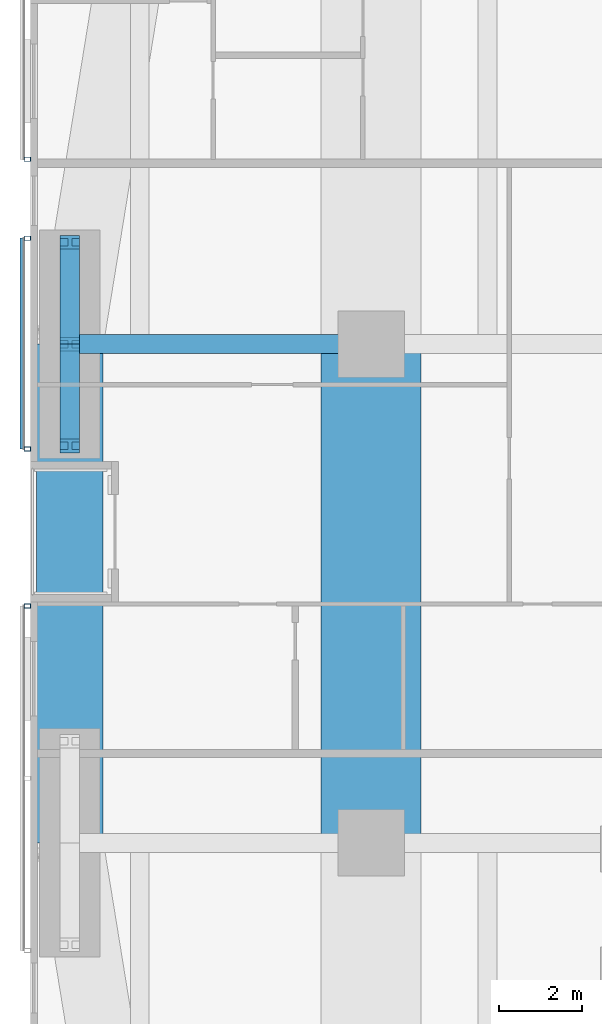
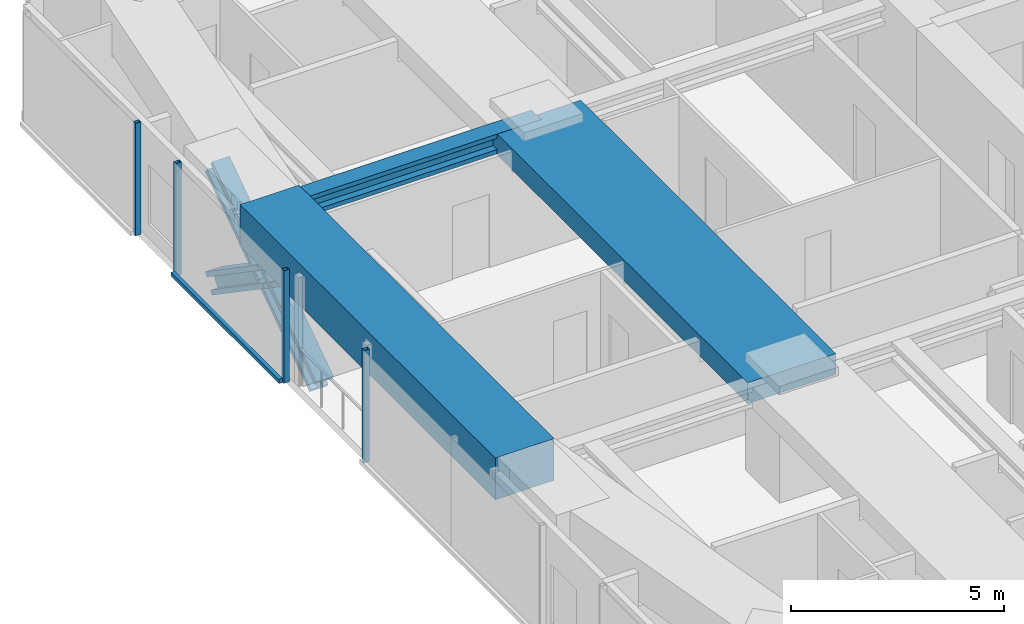
# One storey, part 7 of 24: 9 members, 3 beams, 3 elements without a shape of their own.
"""IFC4 building model written with IfcOpenShell, lengths in metres."""

from ifc_helpers import new_model, si_unit, direction, frame, origin, origin_2d, place, context, subcontext, project, spatial, rectangle, hollow_rectangle, i_section, extrude, material, material_profile, profile_set, type_object, element, aggregate, save


model = new_model("IFC4")

# Units and contexts
model_context = context("Model", 3, precision=1e-05, world=origin(), true_north=direction((0.0, 1.0)))
body_context = subcontext(model_context, "Body", "Model", "MODEL_VIEW")
ifc_project = project(units=[si_unit("LENGTHUNIT", "METRE"), si_unit("AREAUNIT", "SQUARE_METRE"), si_unit("VOLUMEUNIT", "CUBIC_METRE"), si_unit("PLANEANGLEUNIT", "RADIAN"), si_unit("MASSUNIT", "GRAM", prefix="KILO")], contexts=[model_context])

# Site, building, storey
site_placement = place(None, origin())
site = spatial("IfcSite", under=ifc_project, at=site_placement, CompositionType="ELEMENT")
building_placement = place(site_placement, origin())
building = spatial("IfcBuilding", under=site, at=building_placement, Name="Jalousie Tower", CompositionType="ELEMENT")
storey_placement = place(building_placement, frame((0.0, 0.0, 51.14990234375)))
storey = spatial("IfcBuildingStorey", under=building, at=storey_placement, Name="L13", CompositionType="ELEMENT", Elevation=51.14990234375)

# Beam
ifc_material_1 = material(Name="Steel ASTM A992 Grade 50", Category="steel")
ifc_material_profile_1 = material_profile(ifc_material_1, i_section(OverallWidth=0.45458984375, OverallDepth=0.569091796875, WebThickness=0.077880859375, FlangeThickness=0.124755859375, at=origin_2d()), Name="W14X730")
ifc_profile_set_1 = profile_set([ifc_material_profile_1], Name="Steel ASTM A992 Grade 50")
beam_type_1 = type_object("IfcBeamType", Name="LEAN COLLECTOR W14X730", PredefinedType="BEAM", material=ifc_profile_set_1)
beam_1_placement = place(storey_placement, frame((2.949951171875, 25.0, 2.82568359375), z_axis=(1.0, 0.0, 0.0), x_axis=(0.0, 1.0, 0.0)))
element("IfcBeam", 1, at=beam_1_placement, inside=storey, type_object=beam_type_1, Name="Lean collector under L14", PredefinedType="BEAM", context=body_context, shape_type="SweptSolid", body=[
    extrude(i_section(OverallWidth=0.45458984375, OverallDepth=0.569091796875, WebThickness=0.077880859375, FlangeThickness=0.124755859375, at=origin_2d()), origin(), (0.0, 0.0, 1.0), 7.25),
])

# Members
ifc_material_2 = material(Name="Steel ASTM A992 Grade 50", Category="steel")
ifc_material_profile_2 = material_profile(ifc_material_2, i_section(OverallWidth=0.472412109375, OverallDepth=0.5791015625, WebThickness=0.094970703125, FlangeThickness=0.1298828125, at=origin_2d()), Name="W14X808")
ifc_profile_set_2 = profile_set([ifc_material_profile_2], Name="Steel ASTM A992 Grade 50")
member_type_1 = type_object("IfcMemberType", Name="PERIMETER BRACE W14X808", PredefinedType="BRACE", material=ifc_profile_set_2)
for number, where, z_axis, x_axis, name in (
    (2, (2.949951171875, 22.550048828125, -0.599853515625), (0.0, 0.825500916831, 0.564400776321), (-1.0, 0.0, 0.0), "Perimeter brace 13 L13 part 1"),
    (3, (2.949951171875, 25.0, 1.0751953125), (0.0, 0.825539243753, 0.564344714713), (-1.0, 0.0, 0.0), "Perimeter brace 13 L13 part 2"),
    (4, (2.949951171875, 27.449951171875, -0.599853515625), (0.0, -0.825500916831, 0.564400776321), (1.0, 0.0, 0.0), "Perimeter brace 13 L13 part 3"),
    (5, (2.949951171875, 25.0, 1.0751953125), (0.0, -0.825539243753, 0.564344714713), (1.0, 0.0, 0.0), "Perimeter brace 13 L13 part 4"),
):
    element("IfcMember", number, at=place(storey_placement, frame(where, z_axis=z_axis, x_axis=x_axis)), inside=storey, type_object=member_type_1, Name=name, PredefinedType="BRACE", context=body_context, shape_type="SweptSolid", body=[
        extrude(i_section(OverallWidth=0.472412109375, OverallDepth=0.5791015625, WebThickness=0.094970703125, FlangeThickness=0.1298828125, at=origin_2d()), origin(), (0.0, 0.0, 1.0), 2.9677734375),
    ])

# Beams
ifc_material_3 = material(Name="Concrete f'c 40 MPa", Category="concrete")
ifc_material_profile_3 = material_profile(ifc_material_3, rectangle(XDim=1.60009765625, YDim=1.199951171875, at=origin_2d()), Name="RC 1600x1200")
ifc_profile_set_3 = profile_set([ifc_material_profile_3], Name="Concrete f'c 40 MPa")
beam_type_2 = type_object("IfcBeamType", Name="RC BEAM 1600x1200", PredefinedType="BEAM", material=ifc_profile_set_3)
beam_2_placement = place(storey_placement, frame((2.949951171875, 25.0, 2.75), z_axis=(0.0, -1.0, 0.0), x_axis=(1.0, 0.0, 0.0)))
element("IfcBeam", 6, at=beam_2_placement, inside=storey, type_object=beam_type_2, Name="Edge band beam 13-14 under L14", PredefinedType="BEAM", context=body_context, shape_type="SweptSolid", body=[
    extrude(rectangle(XDim=1.60009765625, YDim=1.199951171875, at=origin_2d()), origin(), (0.0, 0.0, 1.0), 12.0),
])
ifc_material_4 = material(Name="Concrete f'c 40 MPa", Category="concrete")
ifc_material_profile_4 = material_profile(ifc_material_4, rectangle(XDim=2.39990234375, YDim=0.60009765625, at=origin_2d()), Name="RC 2400x600")
ifc_profile_set_4 = profile_set([ifc_material_profile_4], Name="Concrete f'c 40 MPa")
beam_type_3 = type_object("IfcBeamType", Name="RC BEAM 2400x600", PredefinedType="BEAM", material=ifc_profile_set_4)
beam_3_placement = place(storey_placement, frame((10.199951171875, 13.0, 2.81005859375), z_axis=(0.0, 1.0, 0.0), x_axis=(-1.0, 0.0, 0.0)))
element("IfcBeam", 7, at=beam_3_placement, inside=storey, type_object=beam_type_3, Name="Floor band beam under L14", PredefinedType="BEAM", context=body_context, shape_type="SweptSolid", body=[
    extrude(rectangle(XDim=2.39990234375, YDim=0.60009765625, at=origin_2d()), origin(), (0.0, 0.0, 1.0), 12.0),
])

# Curtain wall, member
ifc_material_5 = material(Name="Perforated aluminium sheet", Category="aluminium")
curtain_wall_type = type_object("IfcCurtainWallType", Name="SOLAR SCREEN SS-1", PredefinedType="USERDEFINED", material=ifc_material_5)
curtain_wall_1_placement = place(storey_placement, origin())
curtain_wall_1 = element("IfcCurtainWall", 8, at=curtain_wall_1_placement, inside=storey, type_object=curtain_wall_type, Name="Solar screen L13", ObjectType="SOLAR SCREEN SS-1", PredefinedType="USERDEFINED")
ifc_material_6 = material(Name="Steel ASTM A500 Grade C", Category="steel")
ifc_material_profile_5 = material_profile(ifc_material_6, hollow_rectangle(XDim=0.1015625, YDim=0.15234375, WallThickness=0.00634765625, at=origin_2d()), Name="HSS6X4X1/4")
ifc_profile_set_5 = profile_set([ifc_material_profile_5], Name="Steel ASTM A500 Grade C")
member_type_2 = type_object("IfcMemberType", Name="SOLAR SCREEN SS-1 MULLION", PredefinedType="MULLION", material=ifc_profile_set_5)
member_1_placement = place(storey_placement, frame((1.9287109375, 29.449951171875, -0.119873046875), z_axis=(0.0, 0.0, 1.0), x_axis=(0.0, -1.0, 0.0)))
member_1 = element("IfcMember", 9, at=member_1_placement, type_object=member_type_2, Name="SS1 post 2", PredefinedType="MULLION", context=body_context, shape_type="SweptSolid", body=[
    extrude(hollow_rectangle(XDim=0.1015625, YDim=0.15234375, WallThickness=0.00634765625, at=origin_2d()), origin(), (0.0, 0.0, 1.0), 3.22998046875),
])
aggregate(curtain_wall_1, [member_1])

# Curtain wall, members
curtain_wall_2_placement = place(storey_placement, origin())
curtain_wall_2 = element("IfcCurtainWall", 10, at=curtain_wall_2_placement, inside=storey, type_object=curtain_wall_type, Name="Solar screen L13", ObjectType="SOLAR SCREEN SS-1", PredefinedType="USERDEFINED")
member_2_placement = place(storey_placement, frame((1.9287109375, 27.550048828125, -0.119873046875), z_axis=(0.0, 0.0, 1.0), x_axis=(0.0, -1.0, 0.0)))
member_2 = element("IfcMember", 11, at=member_2_placement, type_object=member_type_2, Name="SS1 post 1", PredefinedType="MULLION", context=body_context, shape_type="SweptSolid", body=[
    extrude(hollow_rectangle(XDim=0.1015625, YDim=0.15234375, WallThickness=0.00634765625, at=origin_2d()), origin(), (0.0, 0.0, 1.0), 3.22998046875),
])
member_3_placement = place(storey_placement, frame((1.9287109375, 22.47509765625, -0.119873046875), z_axis=(0.0, 0.0, 1.0), x_axis=(0.0, -1.0, 0.0)))
member_3 = element("IfcMember", 12, at=member_3_placement, type_object=member_type_2, Name="SS1 post 2", PredefinedType="MULLION", context=body_context, shape_type="SweptSolid", body=[
    extrude(hollow_rectangle(XDim=0.1015625, YDim=0.15234375, WallThickness=0.00634765625, at=origin_2d()), origin(), (0.0, 0.0, 1.0), 3.22998046875),
])

# Curtain wall, member
curtain_wall_3_placement = place(storey_placement, origin())
curtain_wall_3 = element("IfcCurtainWall", 13, at=curtain_wall_3_placement, inside=storey, type_object=curtain_wall_type, Name="Solar screen L13", ObjectType="SOLAR SCREEN SS-1", PredefinedType="USERDEFINED")
member_4_placement = place(storey_placement, frame((1.9287109375, 18.699951171875, -0.119873046875), z_axis=(0.0, 0.0, 1.0), x_axis=(0.0, -1.0, 0.0)))
member_4 = element("IfcMember", 14, at=member_4_placement, type_object=member_type_2, Name="SS1 post 1", PredefinedType="MULLION", context=body_context, shape_type="SweptSolid", body=[
    extrude(hollow_rectangle(XDim=0.1015625, YDim=0.15234375, WallThickness=0.00634765625, at=origin_2d()), origin(), (0.0, 0.0, 1.0), 3.22998046875),
])
aggregate(curtain_wall_3, [member_4])

# Member
ifc_material_7 = material(Name="Extruded aluminium screen rail", Category="aluminium")
ifc_material_profile_6 = material_profile(ifc_material_7, rectangle(XDim=0.1015625, YDim=0.1201171875, at=origin_2d()), Name="RAIL 102x120")
ifc_profile_set_6 = profile_set([ifc_material_profile_6], Name="Extruded aluminium screen rail")
member_type_3 = type_object("IfcMemberType", Name="SOLAR SCREEN SS-1 TRANSOM", PredefinedType="USERDEFINED", material=ifc_profile_set_6)
member_5_placement = place(storey_placement, frame((1.8017578125, 27.550048828125, -0.059814453125), z_axis=(0.0, -1.0, 0.0), x_axis=(1.0, 0.0, 0.0)))
member_5 = element("IfcMember", 15, at=member_5_placement, type_object=member_type_3, Name="SS1 rail", ObjectType="TRANSOM", PredefinedType="USERDEFINED", context=body_context, shape_type="SweptSolid", body=[
    extrude(rectangle(XDim=0.1015625, YDim=0.1201171875, at=origin_2d()), origin(), (0.0, 0.0, 1.0), 5.074951171875),
])

aggregate(curtain_wall_2, [member_2, member_3, member_5])

save(model, "model.ifc")
